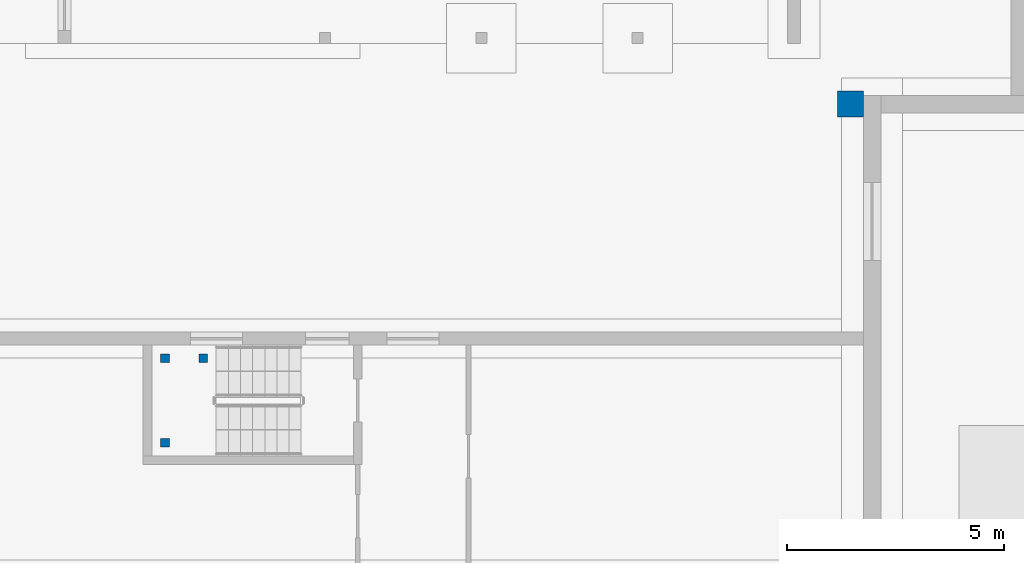
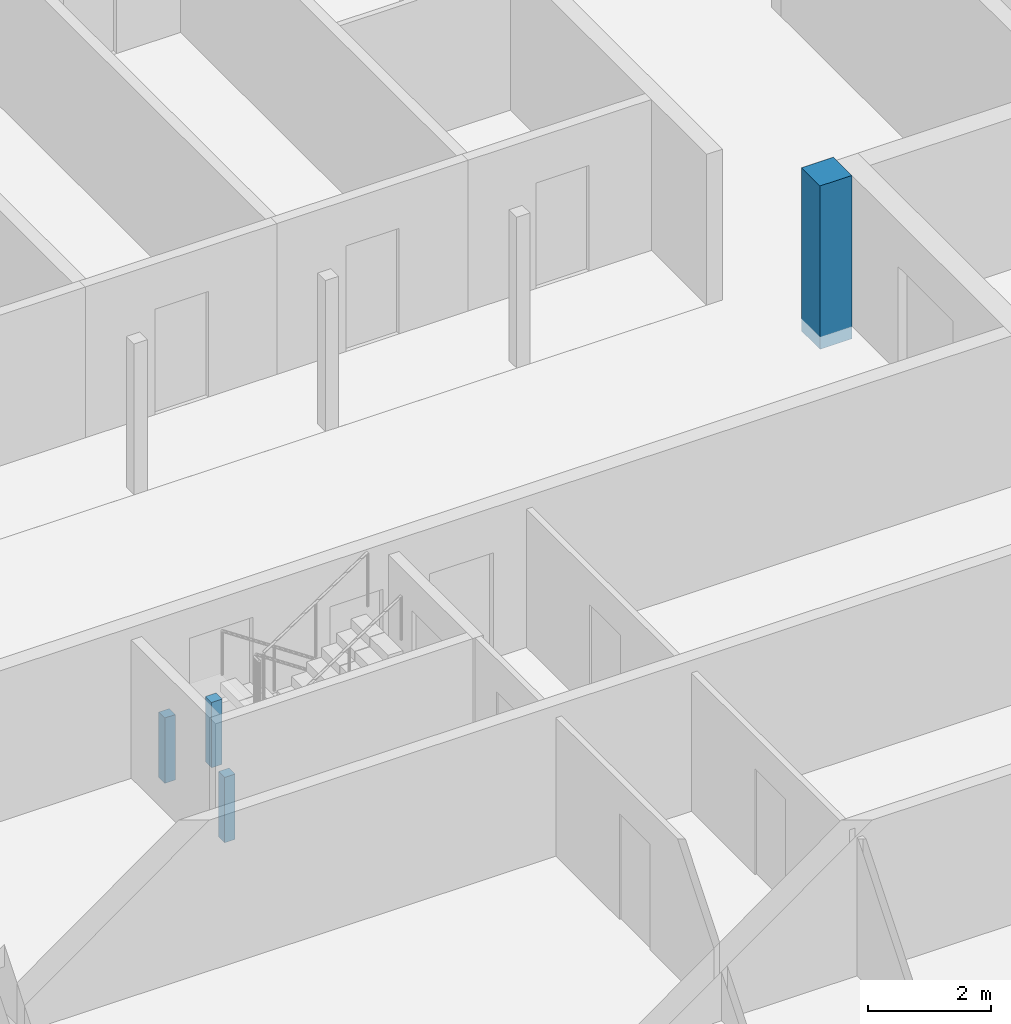
# One storey, part 9 of 112: 4 columns.
"""IFC4 building model written with IfcOpenShell, lengths in metres."""

from ifc_helpers import new_model, si_unit, direction, frame, origin, origin_2d, place, context, subcontext, project, spatial, rectangle, extrude, material, material_profile, profile_set, type_object, element, save


model = new_model("IFC4")

# Units and contexts
model_context = context("Model", 3, precision=1e-05, world=origin(), true_north=direction((0.0, 1.0)))
body_context = subcontext(model_context, "Body", "Model", "MODEL_VIEW")
ifc_project = project(units=[si_unit("LENGTHUNIT", "METRE"), si_unit("AREAUNIT", "SQUARE_METRE"), si_unit("VOLUMEUNIT", "CUBIC_METRE"), si_unit("PLANEANGLEUNIT", "RADIAN"), si_unit("MASSUNIT", "GRAM", prefix="KILO")], contexts=[model_context])

# Site, building, storey
site_placement = place(None, origin())
site = spatial("IfcSite", under=ifc_project, at=site_placement, CompositionType="ELEMENT")
building_placement = place(site_placement, origin())
building = spatial("IfcBuilding", under=site, at=building_placement, Name="Ridgestep Commons", CompositionType="ELEMENT")
storey_placement = place(building_placement, origin())
storey = spatial("IfcBuildingStorey", under=building, at=storey_placement, Name="L00", CompositionType="ELEMENT", Elevation=0.0)

# Columns
ifc_material_1 = material(Name="Precast concrete C40/50", Category="concrete")
ifc_material_profile_1 = material_profile(ifc_material_1, rectangle(XDim=0.60009765625, YDim=0.60009765625, at=origin_2d()), Name="Buttress pier 600 x 600")
ifc_profile_set_1 = profile_set([ifc_material_profile_1], Name="Precast concrete C40/50")
column_type_1 = type_object("IfcColumnType", Name="Buttress pier 600 x 600", PredefinedType="COLUMN", material=ifc_profile_set_1)
column_placement = place(storey_placement, frame((114.10009765625, 64.60009765625, -0.25), z_axis=(0.0, 0.0, 1.0), x_axis=(1.0, 0.0, 0.0)))
element("IfcColumn", 1, at=column_placement, inside=storey, type_object=column_type_1, Name="Hall vault buttress pier", PredefinedType="COLUMN", context=body_context, shape_type="SweptSolid", body=[
    extrude(rectangle(XDim=0.60009765625, YDim=0.60009765625, at=origin_2d()), origin(), (0.0, 0.0, 1.0), 3.25),
])
ifc_material_2 = material(Name="Precast concrete C40/50", Category="concrete")
ifc_material_profile_2 = material_profile(ifc_material_2, rectangle(XDim=0.199951171875, YDim=0.199951171875, at=origin_2d()), Name="Community landing post 200")
ifc_profile_set_2 = profile_set([ifc_material_profile_2], Name="Precast concrete C40/50")
column_type_2 = type_object("IfcColumnType", Name="Community landing post 200", PredefinedType="COLUMN", material=ifc_profile_set_2)
for number, where, z_axis, x_axis, name in (
    (2, (98.31005859375, 56.800048828125, 0.0), (0.0, 0.0, 1.0), (1.0, 0.0, 0.0), "Landing post"),
    (3, (98.31005859375, 58.75, 0.0), (0.0, 0.0, 1.0), (1.0, 0.0, 0.0), "Landing post"),
    (4, (99.18994140625, 58.75, 0.0), (0.0, 0.0, 1.0), (1.0, 0.0, 0.0), "Landing post"),
):
    element("IfcColumn", number, at=place(storey_placement, frame(where, z_axis=z_axis, x_axis=x_axis)), inside=storey, type_object=column_type_2, Name=name, PredefinedType="COLUMN", context=body_context, shape_type="SweptSolid", body=[
        extrude(rectangle(XDim=0.199951171875, YDim=0.199951171875, at=origin_2d()), origin(), (0.0, 0.0, 1.0), 1.300048828125),
    ])

save(model, "model.ifc")
